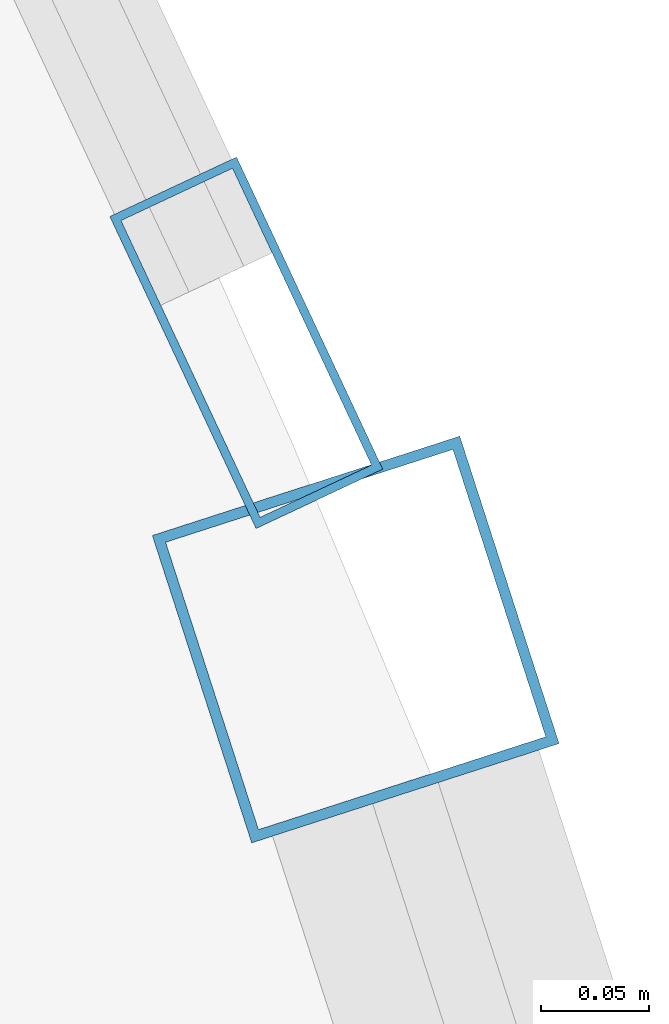
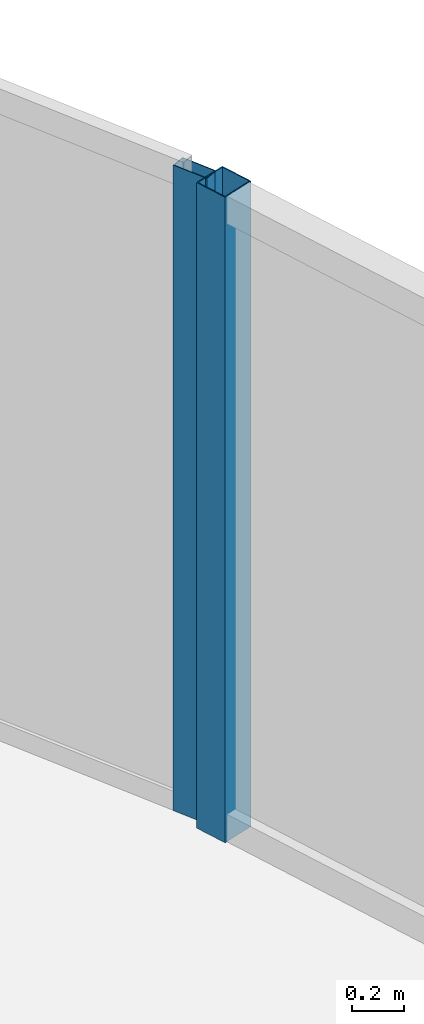
# One storey, part 18 of 33: 2 members, 2 elements without a shape of their own.
"""IFC4 building model written with IfcOpenShell, lengths in metres."""

from ifc_helpers import new_model, si_unit, direction, frame, origin, origin_2d, place, context, subcontext, project, spatial, hollow_rectangle, extrude, material, layer, layer_set, material_profile, profile_set, type_object, element, aggregate, save


model = new_model("IFC4")

# Units and contexts
model_context = context("Model", 3, precision=1e-05, world=origin(), true_north=direction((0.0, 1.0)))
body_context = subcontext(model_context, "Body", "Model", "MODEL_VIEW")
ifc_project = project(units=[si_unit("LENGTHUNIT", "METRE"), si_unit("AREAUNIT", "SQUARE_METRE"), si_unit("VOLUMEUNIT", "CUBIC_METRE"), si_unit("PLANEANGLEUNIT", "RADIAN"), si_unit("MASSUNIT", "GRAM", prefix="KILO")], contexts=[model_context])

# Site, building, storey
site_placement = place(None, origin())
site = spatial("IfcSite", under=ifc_project, at=site_placement, CompositionType="ELEMENT")
building_placement = place(site_placement, origin())
building = spatial("IfcBuilding", under=site, at=building_placement, Name="Orvanel Arch Residences", CompositionType="ELEMENT")
storey_placement = place(building_placement, frame((0.0, 0.0, 209.60009765625)))
storey = spatial("IfcBuildingStorey", under=building, at=storey_placement, Name="L59", CompositionType="ELEMENT", Elevation=209.60009765625)

# Curtain wall, member
ifc_material = material(Name="Bronze-anodised aluminium AA6063-T6", Category="aluminium")
ifc_layer_1 = layer(ifc_material, 0.18994140625)
ifc_layer_set_1 = layer_set([ifc_layer_1], Name="Bronze-anodised aluminium AA6063-T6")
curtain_wall_type_1 = type_object("IfcCurtainWallType", Name="CW5-CRN-SYS", PredefinedType="NOTDEFINED", material=ifc_layer_set_1)
curtain_wall_1_placement = place(storey_placement, origin())
curtain_wall_1 = element("IfcCurtainWall", 1, at=curtain_wall_1_placement, inside=storey, type_object=curtain_wall_type_1, Name="L59 CW5-CRN-SYS Unitised Curtain Wall", PredefinedType="NOTDEFINED")
ifc_material_profile_1 = material_profile(ifc_material, hollow_rectangle(XDim=0.14990234375, YDim=0.14990234375, WallThickness=0.0048828125, at=origin_2d()), Name="ALU150x150x5")
ifc_profile_set_1 = profile_set([ifc_material_profile_1], Name="Bronze-anodised aluminium AA6063-T6")
member_type_1 = type_object("IfcMemberType", Name="MUL-150x150", PredefinedType="MULLION", material=ifc_profile_set_1)
member_1_placement = place(storey_placement, frame((54.301025390625, 15.005615234375, 0.0), z_axis=(0.0, 0.0, 1.0), x_axis=(-0.951553342182, -0.307483718239, 0.0)))
member_1 = element("IfcMember", 2, at=member_1_placement, type_object=member_type_1, Name="CW-S5 mullion 2", PredefinedType="MULLION", context=body_context, shape_type="SweptSolid", body=[
    extrude(hollow_rectangle(XDim=0.14990234375, YDim=0.14990234375, WallThickness=0.0048828125, at=origin_2d()), origin(), (0.0, 0.0, 1.0), 3.059814453125),
])
aggregate(curtain_wall_1, [member_1])

ifc_layer_2 = layer(ifc_material, 0.175048828125)
ifc_layer_set_2 = layer_set([ifc_layer_2], Name="Bronze-anodised aluminium AA6063-T6")
curtain_wall_type_2 = type_object("IfcCurtainWallType", Name="CW4-HI-SYS", PredefinedType="NOTDEFINED", material=ifc_layer_set_2)
curtain_wall_2_placement = place(storey_placement, origin())
curtain_wall_2 = element("IfcCurtainWall", 3, at=curtain_wall_2_placement, inside=storey, type_object=curtain_wall_type_2, Name="L59 CW4-HI-SYS Unitised Curtain Wall", PredefinedType="NOTDEFINED")
ifc_material_profile_2 = material_profile(ifc_material, hollow_rectangle(XDim=0.06494140625, YDim=0.159912109375, WallThickness=0.00390625, at=origin_2d()), Name="ALU160x65x4")
ifc_profile_set_2 = profile_set([ifc_material_profile_2], Name="Bronze-anodised aluminium AA6063-T6")
member_type_2 = type_object("IfcMemberType", Name="MUL-160x65", PredefinedType="MULLION", material=ifc_profile_set_2)
member_2_placement = place(storey_placement, frame((54.250244140625, 15.143310546875, 0.0), z_axis=(0.0, 0.0, 1.0), x_axis=(-0.905502538529, -0.424340844978, 0.0)))
member_2 = element("IfcMember", 4, at=member_2_placement, type_object=member_type_2, Name="CW-S4 mullion 1", PredefinedType="MULLION", context=body_context, shape_type="SweptSolid", body=[
    extrude(hollow_rectangle(XDim=0.06494140625, YDim=0.159912109375, WallThickness=0.00390625, at=origin_2d()), origin(), (0.0, 0.0, 1.0), 3.059814453125),
])
aggregate(curtain_wall_2, [member_2])

save(model, "model.ifc")
